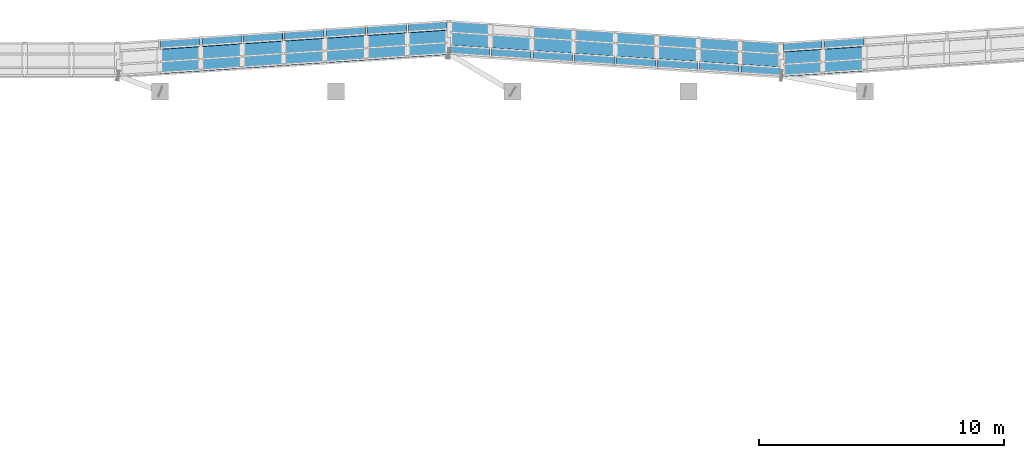
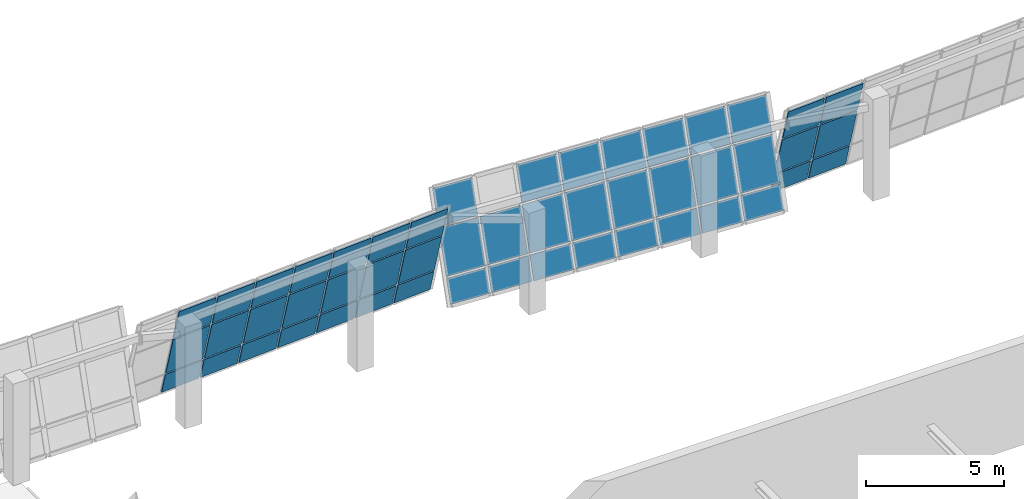
# One storey, part 43 of 67: 50 plates, 3 elements without a shape of their own.
"""IFC4 building model written with IfcOpenShell, lengths in metres."""

from ifc_helpers import new_model, si_unit, direction, frame, origin, place, context, subcontext, project, spatial, polyline, outline, extrude, material, layer, layer_set, type_object, element, aggregate, save


model = new_model("IFC4")

# Units and contexts
model_context = context("Model", 3, precision=1e-05, world=origin(), true_north=direction((0.0, 1.0)))
body_context = subcontext(model_context, "Body", "Model", "MODEL_VIEW")
ifc_project = project(units=[si_unit("LENGTHUNIT", "METRE"), si_unit("AREAUNIT", "SQUARE_METRE"), si_unit("VOLUMEUNIT", "CUBIC_METRE"), si_unit("PLANEANGLEUNIT", "RADIAN"), si_unit("MASSUNIT", "GRAM", prefix="KILO")], contexts=[model_context])

# Site, building, storey
site_placement = place(None, origin())
site = spatial("IfcSite", under=ifc_project, at=site_placement, CompositionType="ELEMENT")
building_placement = place(site_placement, origin())
building = spatial("IfcBuilding", under=site, at=building_placement, Name="Pellamere Symphony Hall", CompositionType="ELEMENT")
storey_placement = place(building_placement, frame((0.0, 0.0, 19.5)))
storey = spatial("IfcBuildingStorey", under=building, at=storey_placement, Name="L04", CompositionType="ELEMENT", Elevation=19.5)

# Curtain wall, plates
ifc_material_1 = material(Name="Thermally Broken Anodised Aluminium 6063-T6 Curtain Wall", Category="aluminium")
curtain_wall_type = type_object("IfcCurtainWallType", Name="Curtain Wall CW-01 (Tilted Faceted Crystal Low-Iron Curtain Wall)", PredefinedType="NOTDEFINED", material=ifc_material_1)
curtain_wall_1_placement = place(storey_placement, origin())
curtain_wall_1 = element("IfcCurtainWall", 1, at=curtain_wall_1_placement, inside=storey, type_object=curtain_wall_type, Name="Crystal Faceted Curtain Wall CW-CR12 (L04)", PredefinedType="NOTDEFINED")
ifc_material_2 = material(Name="Pre-Weathered Quartz-Zinc Faceted Cladding Cassette", Category="aluminium")
ifc_layer_1 = layer(ifc_material_2, 0.0400390625, Name="Pre-Weathered Quartz-Zinc Faceted Cladding Cassette")
ifc_layer_set_1 = layer_set([ifc_layer_1], Name="Pre-Weathered Quartz-Zinc Faceted Cladding Cassette")
plate_type_1 = type_object("IfcPlateType", Name="Facade Panel CL-01 40mm", PredefinedType="CURTAIN_PANEL", material=ifc_layer_set_1)
plate_1_placement = place(storey_placement, frame((91.3251953125, 94.2763671875, 0.072021484375), z_axis=(-0.063264596493, -0.956913803698, 0.283396476905), x_axis=(-0.997821663418, 0.065969144414, 0.0)))
plate_1 = element("IfcPlate", 2, at=plate_1_placement, type_object=plate_type_1, Name="CW1-030 crystal glass panel 1.1", PredefinedType="CURTAIN_PANEL", context=body_context, shape_type="SweptSolid", body=[
    extrude(outline(polyline([(0.0, 0.0), (1.5913571364661865, -6.938893903907228e-18), (1.6103458135326572, -1.013473363166812), (0.018988677066470592, -1.013473363166812), (0.0, 0.0)])), origin(), (0.0, 0.0, -1.0), 0.0400390625),
])
plate_2_placement = place(storey_placement, frame((91.3251953125, 94.58544921875, 1.115966796875), z_axis=(-0.06340993004, -0.956886740091, 0.283455371108), x_axis=(-0.997811553112, 0.06612189105, 0.0)))
plate_2 = element("IfcPlate", 3, at=plate_2_placement, type_object=plate_type_1, Name="CW1-030 crystal glass panel 1.2", PredefinedType="CURTAIN_PANEL", context=body_context, shape_type="SweptSolid", body=[
    extrude(outline(polyline([(0.0, 0.0), (1.5913732608602584, 3.469446951953614e-18), (1.626984806674959, -1.895873680489637), (0.03561154581470058, -1.895873680489637), (0.0, 0.0)])), origin(), (0.0, 0.0, -1.0), 0.0400390625),
])
plate_3_placement = place(storey_placement, frame((91.3251953125, 95.145263671875, 3.005859375), z_axis=(-0.063336723899, -0.956892107407, 0.283453619113), x_axis=(-0.997816204768, 0.066051654553, 2.0805731e-05)))
plate_3 = element("IfcPlate", 4, at=plate_3_placement, type_object=plate_type_1, Name="CW1-030 crystal glass panel 1.3", PredefinedType="CURTAIN_PANEL", context=body_context, shape_type="SweptSolid", body=[
    extrude(outline(polyline([(0.0, 0.0), (1.591373256573352, 0.0), (1.6192200088896131, -1.4829054137007727), (0.02786287820848608, -1.482974464798596), (0.0, 0.0)])), origin(), (0.0, 0.0, -1.0), 0.0400390625),
])
plate_4_placement = place(storey_placement, frame((89.66259765625, 94.38623046875, 0.072021484375), z_axis=(-0.063317514813, -0.956877857224, 0.283506011704), x_axis=(-0.997817469146, 0.066032551464, 2.0331029e-05)))
plate_4 = element("IfcPlate", 5, at=plate_4_placement, type_object=plate_type_1, Name="CW1-030 crystal glass panel 2.1", PredefinedType="CURTAIN_PANEL", context=body_context, shape_type="SweptSolid", body=[
    extrude(outline(polyline([(0.0, 0.0), (1.6288064568611973, 3.469446951953614e-18), (1.6478331453379382, -1.0134726435317643), (0.019042809705125566, -1.0135417074877644), (0.0, 0.0)])), origin(), (0.0, 0.0, -1.0), 0.0400390625),
])
plate_5_placement = place(storey_placement, frame((89.66259765625, 94.695556640625, 1.115966796875), z_axis=(-0.063246887547, -0.956896659994, 0.283458309648), x_axis=(-0.997822801026, 0.065951935174, 0.0)))
plate_5 = element("IfcPlate", 6, at=plate_5_placement, type_object=plate_type_1, Name="CW1-030 crystal glass panel 2.2", PredefinedType="CURTAIN_PANEL", context=body_context, shape_type="SweptSolid", body=[
    extrude(outline(polyline([(0.0, 0.0), (1.628790341285339, 6.938893903907228e-18), (1.6643103532465653, -1.8958753976247777), (0.03552001196122634, -1.8958753976247777), (0.0, 0.0)])), origin(), (0.0, 0.0, -1.0), 0.0400390625),
])
plate_6_placement = place(storey_placement, frame((89.66259765625, 95.25537109375, 3.005859375), z_axis=(-0.063318531004, -0.956893214294, 0.283453946998), x_axis=(-0.997817469292, 0.066032549261, 2.0327621e-05)))
plate_6 = element("IfcPlate", 7, at=plate_6_placement, type_object=plate_type_1, Name="CW1-030 crystal glass panel 2.3", PredefinedType="CURTAIN_PANEL", context=body_context, shape_type="SweptSolid", body=[
    extrude(outline(polyline([(0.0, 0.0), (1.628806456861063, -6.938893903907228e-18), (1.6566444831961924, -1.4829055775359932), (0.027854147562976436, -1.4829746288086836), (0.0, 0.0)])), origin(), (0.0, 0.0, -1.0), 0.0400390625),
])
plate_7_placement = place(storey_placement, frame((87.962646484375, 94.498779296875, 0.072021484375), z_axis=(-0.063317514813, -0.956877857224, 0.283506011704), x_axis=(-0.997817469146, 0.066032551464, 2.0331029e-05)))
plate_7 = element("IfcPlate", 8, at=plate_7_placement, type_object=plate_type_1, Name="CW1-030 crystal glass panel 3.1", PredefinedType="CURTAIN_PANEL", context=body_context, shape_type="SweptSolid", body=[
    extrude(outline(polyline([(0.0, 0.0), (1.6288064568611973, 3.469446951953614e-18), (1.6478331453379382, -1.0134726435317643), (0.019042809705125566, -1.0135417074877644), (0.0, 0.0)])), origin(), (0.0, 0.0, -1.0), 0.0400390625),
])
plate_8_placement = place(storey_placement, frame((87.962646484375, 94.80810546875, 1.115966796875), z_axis=(-0.063246887547, -0.956896659994, 0.283458309648), x_axis=(-0.997822801026, 0.065951935174, 0.0)))
plate_8 = element("IfcPlate", 9, at=plate_8_placement, type_object=plate_type_1, Name="CW1-030 crystal glass panel 3.2", PredefinedType="CURTAIN_PANEL", context=body_context, shape_type="SweptSolid", body=[
    extrude(outline(polyline([(0.0, 0.0), (1.628790341285339, 6.938893903907228e-18), (1.6643103532465653, -1.8958753976247777), (0.03552001196122634, -1.8958753976247777), (0.0, 0.0)])), origin(), (0.0, 0.0, -1.0), 0.0400390625),
])
plate_9_placement = place(storey_placement, frame((87.962646484375, 95.367919921875, 3.005859375), z_axis=(-0.063318531004, -0.956893214294, 0.283453946998), x_axis=(-0.99781826272, 0.066020558679, -2.0327822e-05)))
plate_9 = element("IfcPlate", 10, at=plate_9_placement, type_object=plate_type_1, Name="CW1-030 crystal glass panel 3.3", PredefinedType="CURTAIN_PANEL", context=body_context, shape_type="SweptSolid", body=[
    extrude(outline(polyline([(0.0, 0.0), (1.628790337096903, 3.469446951953614e-18), (1.6565816151032986, -1.4829758083304945), (0.027775159705936955, -1.4829067563744196), (0.0, 0.0)])), origin(), (0.0, 0.0, -1.0), 0.0400390625),
])
plate_10_placement = place(storey_placement, frame((86.2626953125, 94.611328125, 0.072021484375), z_axis=(-0.063317514813, -0.956877857224, 0.283506011704), x_axis=(-0.997818262866, 0.066020556476, -2.033123e-05)))
plate_10 = element("IfcPlate", 11, at=plate_10_placement, type_object=plate_type_1, Name="CW1-030 crystal glass panel 4.1", PredefinedType="CURTAIN_PANEL", context=body_context, shape_type="SweptSolid", body=[
    extrude(outline(polyline([(0.0, 0.0), (1.6287903370970371, -6.938893903907228e-18), (1.6477901705969515, -1.0135425140297043), (0.01898371519999343, -1.0134734493901942), (0.0, 0.0)])), origin(), (0.0, 0.0, -1.0), 0.0400390625),
])
plate_11_placement = place(storey_placement, frame((86.2626953125, 94.920654296875, 1.115966796875), z_axis=(-0.063319624031, -0.956909732511, 0.283397934075), x_axis=(-0.997818262564, 0.066020561048, -2.0324156e-05)))
plate_11 = element("IfcPlate", 12, at=plate_11_placement, type_object=plate_type_1, Name="CW1-030 crystal glass panel 4.2", PredefinedType="CURTAIN_PANEL", context=body_context, shape_type="SweptSolid", body=[
    extrude(outline(polyline([(0.0, 0.0), (1.628790337096758, -3.469446951953614e-18), (1.6643103575264884, -1.8958753938676103), (0.03550390212869337, -1.8958063555567923), (0.0, 0.0)])), origin(), (0.0, 0.0, -1.0), 0.0400390625),
])
plate_12_placement = place(storey_placement, frame((86.2626953125, 95.48046875, 3.005859375), z_axis=(-0.063318531004, -0.956893214294, 0.283453946998), x_axis=(-0.99781826272, 0.066020558679, -2.0327822e-05)))
plate_12 = element("IfcPlate", 13, at=plate_12_placement, type_object=plate_type_1, Name="CW1-030 crystal glass panel 4.3", PredefinedType="CURTAIN_PANEL", context=body_context, shape_type="SweptSolid", body=[
    extrude(outline(polyline([(0.0, 0.0), (1.628790337096903, 3.469446951953614e-18), (1.6565816151032986, -1.4829758083304945), (0.027775159705936955, -1.4829067563744196), (0.0, 0.0)])), origin(), (0.0, 0.0, -1.0), 0.0400390625),
])
plate_13_placement = place(storey_placement, frame((84.5625, 94.723876953125, 0.072021484375), z_axis=(-0.063326989514, -0.956877280825, 0.283505840928), x_axis=(-0.997817609391, 0.066030432193, -2.0334247e-05)))
plate_13 = element("IfcPlate", 14, at=plate_13_placement, type_object=plate_type_1, Name="CW1-030 crystal glass panel 5.1", PredefinedType="CURTAIN_PANEL", context=body_context, shape_type="SweptSolid", body=[
    extrude(outline(polyline([(0.0, 0.0), (1.6285467280937327, 3.469446951953614e-18), (1.647549403716876, -1.013542460747381), (0.018986554912158612, -1.01347339619461), (0.0, 0.0)])), origin(), (0.0, 0.0, -1.0), 0.0400390625),
])
plate_14_placement = place(storey_placement, frame((84.5625, 95.032958984375, 1.115966796875), z_axis=(-0.063399538991, -0.956887373073, 0.283455558614), x_axis=(-0.997812270832, 0.066111059411, 0.0)))
plate_14 = element("IfcPlate", 15, at=plate_14_placement, type_object=plate_type_1, Name="CW1-030 crystal glass panel 5.2", PredefinedType="CURTAIN_PANEL", context=body_context, shape_type="SweptSolid", body=[
    extrude(outline(polyline([(0.0, 0.0), (1.6285628544580533, 0.0), (1.664168566630861, -1.8958737900581097), (0.035605712172807766, -1.8958737900581097), (0.0, 0.0)])), origin(), (0.0, 0.0, -1.0), 0.0400390625),
])
plate_15_placement = place(storey_placement, frame((84.5625, 95.593017578125, 3.005859375), z_axis=(-0.063328005856, -0.956892637868, 0.283453776247), x_axis=(-0.997817609245, 0.066030434396, -2.0330839e-05)))
plate_15 = element("IfcPlate", 16, at=plate_15_placement, type_object=plate_type_1, Name="CW1-030 crystal glass panel 5.3", PredefinedType="CURTAIN_PANEL", context=body_context, shape_type="SweptSolid", body=[
    extrude(outline(polyline([(0.0, 0.0), (1.6285467280935984, 0.0), (1.6563421633067859, -1.4829757304177427), (0.02777931450166513, -1.4829066785483926), (0.0, 0.0)])), origin(), (0.0, 0.0, -1.0), 0.0400390625),
])
plate_16_placement = place(storey_placement, frame((82.862548828125, 94.836181640625, 0.072021484375), z_axis=(-0.063317514813, -0.956877857224, 0.283506011704), x_axis=(-0.997817469146, 0.066032551464, 2.0331029e-05)))
plate_16 = element("IfcPlate", 17, at=plate_16_placement, type_object=plate_type_1, Name="CW1-030 crystal glass panel 6.1", PredefinedType="CURTAIN_PANEL", context=body_context, shape_type="SweptSolid", body=[
    extrude(outline(polyline([(0.0, 0.0), (1.6288064568611973, 3.469446951953614e-18), (1.6478331453379382, -1.0134726435317643), (0.019042809705125566, -1.0135417074877644), (0.0, 0.0)])), origin(), (0.0, 0.0, -1.0), 0.0400390625),
])
plate_17_placement = place(storey_placement, frame((82.862548828125, 95.1455078125, 1.115966796875), z_axis=(-0.063390053523, -0.956887950799, 0.283455729752), x_axis=(-0.9978129259, 0.066101171747, 0.0)))
plate_17 = element("IfcPlate", 18, at=plate_17_placement, type_object=plate_type_1, Name="CW1-030 crystal glass panel 6.2", PredefinedType="CURTAIN_PANEL", context=body_context, shape_type="SweptSolid", body=[
    extrude(outline(polyline([(0.0, 0.0), (1.6288064610494575, 0.0), (1.6644068479817382, -1.8958738900620224), (0.03560038693228082, -1.8958738900620224), (0.0, 0.0)])), origin(), (0.0, 0.0, -1.0), 0.0400390625),
])
plate_18_placement = place(storey_placement, frame((82.862548828125, 95.705322265625, 3.005859375), z_axis=(-0.063318531004, -0.956893214294, 0.283453946998), x_axis=(-0.997817469292, 0.066032549261, 2.0327621e-05)))
plate_18 = element("IfcPlate", 19, at=plate_18_placement, type_object=plate_type_1, Name="CW1-030 crystal glass panel 6.3", PredefinedType="CURTAIN_PANEL", context=body_context, shape_type="SweptSolid", body=[
    extrude(outline(polyline([(0.0, 0.0), (1.628806456861063, -6.938893903907228e-18), (1.6566444831961924, -1.4829055775359932), (0.027854147562976436, -1.4829746288086836), (0.0, 0.0)])), origin(), (0.0, 0.0, -1.0), 0.0400390625),
])
plate_19_placement = place(storey_placement, frame((81.16259765625, 94.94873046875, 0.072021484375), z_axis=(-0.063317514813, -0.956877857224, 0.283506011704), x_axis=(-0.997817469146, 0.066032551464, 2.0331029e-05)))
plate_19 = element("IfcPlate", 20, at=plate_19_placement, type_object=plate_type_1, Name="CW1-030 crystal glass panel 7.1", PredefinedType="CURTAIN_PANEL", context=body_context, shape_type="SweptSolid", body=[
    extrude(outline(polyline([(0.0, 0.0), (1.6288064568611973, 3.469446951953614e-18), (1.6478331453379382, -1.0134726435317643), (0.019042809705125566, -1.0135417074877644), (0.0, 0.0)])), origin(), (0.0, 0.0, -1.0), 0.0400390625),
])
plate_20_placement = place(storey_placement, frame((81.16259765625, 95.258056640625, 1.115966796875), z_axis=(-0.063246887547, -0.956896659994, 0.283458309648), x_axis=(-0.997822801026, 0.065951935174, 0.0)))
plate_20 = element("IfcPlate", 21, at=plate_20_placement, type_object=plate_type_1, Name="CW1-030 crystal glass panel 7.2", PredefinedType="CURTAIN_PANEL", context=body_context, shape_type="SweptSolid", body=[
    extrude(outline(polyline([(0.0, 0.0), (1.628790341285339, 6.938893903907228e-18), (1.6643103532465653, -1.8958753976247777), (0.03552001196122634, -1.8958753976247777), (0.0, 0.0)])), origin(), (0.0, 0.0, -1.0), 0.0400390625),
])
plate_21_placement = place(storey_placement, frame((79.462646484375, 95.061279296875, 0.072021484375), z_axis=(-0.063260285517, -0.956848597684, 0.283617519534), x_axis=(-0.997821663418, 0.065969144414, 0.0)))
plate_21 = element("IfcPlate", 22, at=plate_21_placement, type_object=plate_type_1, Name="CW1-030 crystal glass panel 8.1", PredefinedType="CURTAIN_PANEL", context=body_context, shape_type="SweptSolid", body=[
    extrude(outline(polyline([(0.0, 0.0), (1.5913571364661865, 0.0), (1.610361919280805, -1.0135424279686458), (0.019004782814618572, -1.0135424279686458), (0.0, 0.0)])), origin(), (0.0, 0.0, -1.0), 0.0400390625),
])
plate_22_placement = place(storey_placement, frame((79.462646484375, 95.37060546875, 1.115966796875), z_axis=(-0.063263396738, -0.956895656701, 0.283458012446), x_axis=(-0.997821663418, 0.065969144414, 0.0)))
plate_22 = element("IfcPlate", 23, at=plate_22_placement, type_object=plate_type_1, Name="CW1-030 crystal glass panel 8.2", PredefinedType="CURTAIN_PANEL", context=body_context, shape_type="SweptSolid", body=[
    extrude(outline(polyline([(0.0, 0.0), (1.5913571364661865, -3.469446951953614e-18), (1.6268864168806343, -1.8958752239537984), (0.035529280414447945, -1.8958752239537984), (0.0, 0.0)])), origin(), (0.0, 0.0, -1.0), 0.0400390625),
])
plate_23_placement = place(storey_placement, frame((79.462646484375, 95.930419921875, 3.005859375), z_axis=(-0.063336723899, -0.956892107407, 0.283453619113), x_axis=(-0.99781701709, 0.066039381979, -2.0805942e-05)))
plate_23 = element("IfcPlate", 24, at=plate_23_placement, type_object=plate_type_1, Name="CW1-030 crystal glass panel 8.3", PredefinedType="CURTAIN_PANEL", context=body_context, shape_type="SweptSolid", body=[
    extrude(outline(polyline([(0.0, 0.0), (1.5913571321792366, -1.0408340855860843e-17), (1.6191556621314394, -1.4829756724097802), (0.02778240705621182, -1.482906620612298), (0.0, 0.0)])), origin(), (0.0, 0.0, -1.0), 0.0400390625),
])
aggregate(curtain_wall_1, [plate_1, plate_2, plate_3, plate_4, plate_5, plate_6, plate_7, plate_8, plate_9, plate_10, plate_11, plate_12, plate_13, plate_14, plate_15, plate_16, plate_17, plate_18, plate_19, plate_20, plate_21, plate_22, plate_23])

curtain_wall_2_placement = place(storey_placement, origin())
curtain_wall_2 = element("IfcCurtainWall", 25, at=curtain_wall_2_placement, inside=storey, type_object=curtain_wall_type, Name="Crystal Faceted Curtain Wall CW-CR11 (L04)", PredefinedType="NOTDEFINED")
ifc_material_3 = material(Name="Vacuum-Insulated Bronze-Anodised Aluminium Spandrel Panel", Category="aluminium")
ifc_layer_2 = layer(ifc_material_3, 0.06494140625, Name="Vacuum-Insulated Bronze-Anodised Aluminium Spandrel Panel")
ifc_layer_set_2 = layer_set([ifc_layer_2], Name="Vacuum-Insulated Bronze-Anodised Aluminium Spandrel Panel")
plate_type_2 = type_object("IfcPlateType", Name="Facade Panel SP-01 65mm", PredefinedType="CURTAIN_PANEL", material=ifc_layer_set_2)
plate_24_placement = place(storey_placement, frame((94.737548828125, 95.7841796875, 0.072021484375), z_axis=(-0.063813980382, 0.956847537844, 0.283497028608), x_axis=(-0.99778388931, -0.066538032828, -2.0489291e-05)))
plate_24 = element("IfcPlate", 26, at=plate_24_placement, type_object=plate_type_2, Name="CW1-027 crystal glass panel 7.1", PredefinedType="CURTAIN_PANEL", context=body_context, shape_type="SweptSolid", body=[
    extrude(outline(polyline([(0.0, 0.0), (1.6161228816748314, 0.0), (1.6352716392112494, 1.0135397113603168), (0.019132512899497058, 1.0134706512833356), (0.0, 0.0)])), origin(), (0.0, 0.0, -1.0), 0.06494140625),
])
plate_25_placement = place(storey_placement, frame((94.737548828125, 95.474853515625, 1.115966796875), z_axis=(-0.063742803838, 0.956866407618, 0.283449348087), x_axis=(-0.997788498757, -0.06646887804, 0.0)))
plate_25 = element("IfcPlate", 27, at=plate_25_placement, type_object=plate_type_2, Name="CW1-027 crystal glass panel 7.2", PredefinedType="CURTAIN_PANEL", context=body_context, shape_type="SweptSolid", body=[
    extrude(outline(polyline([(0.0, 0.0), (1.616122885895694, 0.0), (1.6519213099571914, 1.895870161008751), (0.03579842406149748, 1.895870161008751), (0.0, 0.0)])), origin(), (0.0, 0.0, -1.0), 0.06494140625),
])
plate_26_placement = place(storey_placement, frame((94.737548828125, 94.9150390625, 3.005859375), z_axis=(-0.063815004476, 0.956862893455, 0.283444965263), x_axis=(-0.997783889163, -0.066538035048, -2.0485857e-05)))
plate_26 = element("IfcPlate", 28, at=plate_26_placement, type_object=plate_type_2, Name="CW1-027 crystal glass panel 7.3", PredefinedType="CURTAIN_PANEL", context=body_context, shape_type="SweptSolid", body=[
    extrude(outline(polyline([(0.0, 0.0), (1.616122881674696, -3.469446951953614e-18), (1.64413199260605, 1.4829717100917374), (0.02799286629389127, 1.4829026626974238), (0.0, 0.0)])), origin(), (0.0, 0.0, -1.0), 0.06494140625),
])
plate_27_placement = place(storey_placement, frame((93.050048828125, 95.671630859375, 0.072021484375), z_axis=(-0.063772413154, 0.956882813184, 0.283387298856), x_axis=(-0.997786526209, -0.066498482063, 0.0)))
plate_27 = element("IfcPlate", 29, at=plate_27_placement, type_object=plate_type_2, Name="CW1-027 crystal glass panel 8.1", PredefinedType="CURTAIN_PANEL", context=body_context, shape_type="SweptSolid", body=[
    extrude(outline(polyline([(0.0, 0.0), (1.578689700777497, 0.0), (1.5978307433439352, 1.0134704969533417), (0.019141042566438286, 1.0134704969533417), (0.0, 0.0)])), origin(), (0.0, 0.0, -1.0), 0.06494140625),
])
plate_28_placement = place(storey_placement, frame((93.050048828125, 95.362548828125, 1.115966796875), z_axis=(-0.063918903753, 0.956855607916, 0.283446148928), x_axis=(-0.997776253366, -0.06665244346, 0.0)))
plate_28 = element("IfcPlate", 30, at=plate_28_placement, type_object=plate_type_2, Name="CW1-027 crystal glass panel 8.2", PredefinedType="CURTAIN_PANEL", context=body_context, shape_type="SweptSolid", body=[
    extrude(outline(polyline([(0.0, 0.0), (1.5787059545526818, -6.938893903907228e-18), (1.614603242216661, 1.895868291656096), (0.035897287663979247, 1.895868291656096), (0.0, 0.0)])), origin(), (0.0, 0.0, -1.0), 0.06494140625),
])
plate_29_placement = place(storey_placement, frame((93.050048828125, 94.802490234375, 3.005859375), z_axis=(-0.063772748726, 0.956887848324, 0.283370221177), x_axis=(-0.997786526209, -0.066498482063, 0.0)))
plate_29 = element("IfcPlate", 31, at=plate_29_placement, type_object=plate_type_2, Name="CW1-027 crystal glass panel 8.3", PredefinedType="CURTAIN_PANEL", context=body_context, shape_type="SweptSolid", body=[
    extrude(outline(polyline([(0.0, 0.0), (1.578689700777497, -3.469446951953614e-18), (1.6066950429548559, 1.4829024317369264), (0.028005342177358818, 1.4829024317369264), (0.0, 0.0)])), origin(), (0.0, 0.0, -1.0), 0.06494140625),
])
aggregate(curtain_wall_2, [plate_24, plate_25, plate_26, plate_27, plate_28, plate_29])

curtain_wall_3_placement = place(storey_placement, origin())
curtain_wall_3 = element("IfcCurtainWall", 32, at=curtain_wall_3_placement, inside=storey, type_object=curtain_wall_type, Name="Crystal Faceted Curtain Wall CW-CR13 (L04)", PredefinedType="NOTDEFINED")
plate_30_placement = place(storey_placement, frame((77.72509765625, 96.456787109375, 0.072021484375), z_axis=(-0.063768067856, 0.956817613505, 0.283608335578), x_axis=(-0.997786526209, -0.066498482063, 0.0)))
plate_30 = element("IfcPlate", 33, at=plate_30_placement, type_object=plate_type_2, Name="CW1-033 crystal glass panel 1.1", PredefinedType="CURTAIN_PANEL", context=body_context, shape_type="SweptSolid", body=[
    extrude(outline(polyline([(0.0, 0.0), (1.578689700777497, -3.469446951953614e-18), (1.5978469783249076, 1.0135395570866388), (0.01915727754741067, 1.0135395570866388), (0.0, 0.0)])), origin(), (0.0, 0.0, -1.0), 0.06494140625),
])
plate_31_placement = place(storey_placement, frame((77.72509765625, 96.1474609375, 1.115966796875), z_axis=(-0.063771203847, 0.95686466795, 0.283448832751), x_axis=(-0.997786526209, -0.066498482063, 0.0)))
plate_31 = element("IfcPlate", 34, at=plate_31_placement, type_object=plate_type_2, Name="CW1-033 crystal glass panel 1.2", PredefinedType="CURTAIN_PANEL", context=body_context, shape_type="SweptSolid", body=[
    extrude(outline(polyline([(0.0, 0.0), (1.578689700777497, 0.0), (1.6145040688025716, 1.8958698598826869), (0.03581436802507452, 1.8958698598826869), (0.0, 0.0)])), origin(), (0.0, 0.0, -1.0), 0.06494140625),
])
plate_32_placement = place(storey_placement, frame((77.72509765625, 95.587646484375, 3.005859375), z_axis=(-0.063769779454, 0.956843295433, 0.283521292346), x_axis=(-0.997786526209, -0.066498482063, 0.0)))
plate_32 = element("IfcPlate", 35, at=plate_32_placement, type_object=plate_type_2, Name="CW1-033 crystal glass panel 1.3", PredefinedType="CURTAIN_PANEL", context=body_context, shape_type="SweptSolid", body=[
    extrude(outline(polyline([(0.0, 0.0), (1.578689700777497, -3.469446951953614e-18), (1.6067112779358281, 1.4829714791877961), (0.028021577158331198, 1.4829714791877961), (0.0, 0.0)])), origin(), (0.0, 0.0, -1.0), 0.06494140625),
])
plate_33_placement = place(storey_placement, frame((76.0751953125, 96.3466796875, 0.072021484375), z_axis=(-0.063804359707, 0.956848127642, 0.283497203354), x_axis=(-0.997784557971, -0.06652800504, -2.0486228e-05)))
plate_33 = element("IfcPlate", 36, at=plate_33_placement, type_object=plate_type_2, Name="CW1-033 crystal glass panel 2.1", PredefinedType="CURTAIN_PANEL", context=body_context, shape_type="SweptSolid", body=[
    extrude(outline(polyline([(0.0, 0.0), (1.6163664824646273, 3.469446951953614e-18), (1.6355123541131644, 1.013539765879141), (0.019129629459806567, 1.0134707057134071), (0.0, 0.0)])), origin(), (0.0, 0.0, -1.0), 0.06494140625),
])
plate_34_placement = place(storey_placement, frame((76.0751953125, 96.037353515625, 1.115966796875), z_axis=(-0.063733193807, 0.956866996113, 0.283449522415), x_axis=(-0.997789166031, -0.066458860589, 0.0)))
plate_34 = element("IfcPlate", 37, at=plate_34_placement, type_object=plate_type_2, Name="CW1-033 crystal glass panel 2.2", PredefinedType="CURTAIN_PANEL", context=body_context, shape_type="SweptSolid", body=[
    extrude(outline(polyline([(0.0, 0.0), (1.616366486684859, 0.0), (1.6521595156058213, 1.8958702628738333), (0.035793028920962165, 1.8958702628738333), (0.0, 0.0)])), origin(), (0.0, 0.0, -1.0), 0.06494140625),
])
plate_35_placement = place(storey_placement, frame((76.0751953125, 95.4775390625, 3.005859375), z_axis=(-0.063805383649, 0.956863483281, 0.283445139983), x_axis=(-0.997784557823, -0.06652800726, -2.0482795e-05)))
plate_35 = element("IfcPlate", 38, at=plate_35_placement, type_object=plate_type_2, Name="CW1-033 crystal glass panel 2.3", PredefinedType="CURTAIN_PANEL", context=body_context, shape_type="SweptSolid", body=[
    extrude(outline(polyline([(0.0, 0.0), (1.6163664824644917, 0.0), (1.6443713721739868, 1.4829717898125772), (0.027988647520222894, 1.482902742329526), (0.0, 0.0)])), origin(), (0.0, 0.0, -1.0), 0.06494140625),
])
plate_36_placement = place(storey_placement, frame((74.3876953125, 96.234130859375, 0.072021484375), z_axis=(-0.063804359707, 0.956848127642, 0.283497203354), x_axis=(-0.997784557971, -0.06652800504, -2.0486228e-05)))
plate_36 = element("IfcPlate", 39, at=plate_36_placement, type_object=plate_type_2, Name="CW1-033 crystal glass panel 3.1", PredefinedType="CURTAIN_PANEL", context=body_context, shape_type="SweptSolid", body=[
    extrude(outline(polyline([(0.0, 0.0), (1.6163664824646273, 3.469446951953614e-18), (1.6355123541131644, 1.013539765879141), (0.019129629459806567, 1.0134707057134071), (0.0, 0.0)])), origin(), (0.0, 0.0, -1.0), 0.06494140625),
])
plate_37_placement = place(storey_placement, frame((74.3876953125, 95.925048828125, 1.115966796875), z_axis=(-0.063877451614, 0.956858152749, 0.283446902775), x_axis=(-0.997779138857, -0.066609234065, 0.0)))
plate_37 = element("IfcPlate", 40, at=plate_37_placement, type_object=plate_type_2, Name="CW1-033 crystal glass panel 3.2", PredefinedType="CURTAIN_PANEL", context=body_context, shape_type="SweptSolid", body=[
    extrude(outline(polyline([(0.0, 0.0), (1.6163827303488496, 0.0), (1.6522567465471327, 1.895868732146411), (0.03587401619828309, 1.895868732146411), (0.0, 0.0)])), origin(), (0.0, 0.0, -1.0), 0.06494140625),
])
plate_38_placement = place(storey_placement, frame((74.3876953125, 95.364990234375, 3.005859375), z_axis=(-0.063805383649, 0.956863483281, 0.283445139983), x_axis=(-0.997784557823, -0.06652800726, -2.0482795e-05)))
plate_38 = element("IfcPlate", 41, at=plate_38_placement, type_object=plate_type_2, Name="CW1-033 crystal glass panel 3.3", PredefinedType="CURTAIN_PANEL", context=body_context, shape_type="SweptSolid", body=[
    extrude(outline(polyline([(0.0, 0.0), (1.6163664824644917, 0.0), (1.6443713721739868, 1.4829717898125772), (0.027988647520222894, 1.482902742329526), (0.0, 0.0)])), origin(), (0.0, 0.0, -1.0), 0.06494140625),
])
plate_39_placement = place(storey_placement, frame((72.7001953125, 96.12158203125, 0.072021484375), z_axis=(-0.063734402399, 0.956885141479, 0.283387988396), x_axis=(-0.997789166031, -0.066458860589, 0.0)))
plate_39 = element("IfcPlate", 42, at=plate_39_placement, type_object=plate_type_2, Name="CW1-033 crystal glass panel 4.1", PredefinedType="CURTAIN_PANEL", context=body_context, shape_type="SweptSolid", body=[
    extrude(outline(polyline([(0.0, 0.0), (1.616366486684859, 0.0), (1.635496124535183, 1.013470712285806), (0.01912963785032384, 1.013470712285806), (0.0, 0.0)])), origin(), (0.0, 0.0, -1.0), 0.06494140625),
])
plate_40_placement = place(storey_placement, frame((72.7001953125, 95.8125, 1.115966796875), z_axis=(-0.063877451614, 0.956858152749, 0.283446902775), x_axis=(-0.997779138857, -0.066609234065, 0.0)))
plate_40 = element("IfcPlate", 43, at=plate_40_placement, type_object=plate_type_2, Name="CW1-033 crystal glass panel 4.2", PredefinedType="CURTAIN_PANEL", context=body_context, shape_type="SweptSolid", body=[
    extrude(outline(polyline([(0.0, 0.0), (1.6163827303488496, 0.0), (1.6522567465471327, 1.895868732146411), (0.03587401619828309, 1.895868732146411), (0.0, 0.0)])), origin(), (0.0, 0.0, -1.0), 0.06494140625),
])
plate_41_placement = place(storey_placement, frame((72.7001953125, 95.252685546875, 3.005859375), z_axis=(-0.063805383649, 0.956863483281, 0.283445139983), x_axis=(-0.997783752229, -0.066540088437, 2.0482589e-05)))
plate_41 = element("IfcPlate", 44, at=plate_41_placement, type_object=plate_type_2, Name="CW1-033 crystal glass panel 4.3", PredefinedType="CURTAIN_PANEL", context=body_context, shape_type="SweptSolid", body=[
    extrude(outline(polyline([(0.0, 0.0), (1.6163827261285246, 3.469446951953614e-18), (1.6444347192036313, 1.4829015453774923), (0.028068238213885266, 1.4829705921666583), (0.0, 0.0)])), origin(), (0.0, 0.0, -1.0), 0.06494140625),
])
plate_42_placement = place(storey_placement, frame((71.0126953125, 96.00927734375, 0.072021484375), z_axis=(-0.063804359707, 0.956848127642, 0.283497203354), x_axis=(-0.99778375208, -0.066540090657, 2.0486023e-05)))
plate_42 = element("IfcPlate", 45, at=plate_42_placement, type_object=plate_type_2, Name="CW1-033 crystal glass panel 5.1", PredefinedType="CURTAIN_PANEL", context=body_context, shape_type="SweptSolid", body=[
    extrude(outline(polyline([(0.0, 0.0), (1.6163827261286603, 3.469446951953614e-18), (1.635555656240936, 1.0134698874724453), (0.01918917525159601, 1.0135389469441665), (0.0, 0.0)])), origin(), (0.0, 0.0, -1.0), 0.06494140625),
])
plate_43_placement = place(storey_placement, frame((71.0126953125, 95.699951171875, 1.115966796875), z_axis=(-0.063733193807, 0.956866996113, 0.283449522415), x_axis=(-0.997789166031, -0.066458860589, 0.0)))
plate_43 = element("IfcPlate", 46, at=plate_43_placement, type_object=plate_type_2, Name="CW1-033 crystal glass panel 5.2", PredefinedType="CURTAIN_PANEL", context=body_context, shape_type="SweptSolid", body=[
    extrude(outline(polyline([(0.0, 0.0), (1.616366486684859, 0.0), (1.6521595156058213, 1.8958702628738333), (0.035793028920962165, 1.8958702628738333), (0.0, 0.0)])), origin(), (0.0, 0.0, -1.0), 0.06494140625),
])
plate_44_placement = place(storey_placement, frame((71.0126953125, 95.14013671875, 3.005859375), z_axis=(-0.063805383649, 0.956863483281, 0.283445139983), x_axis=(-0.997783752229, -0.066540088437, 2.0482589e-05)))
plate_44 = element("IfcPlate", 47, at=plate_44_placement, type_object=plate_type_2, Name="CW1-033 crystal glass panel 5.3", PredefinedType="CURTAIN_PANEL", context=body_context, shape_type="SweptSolid", body=[
    extrude(outline(polyline([(0.0, 0.0), (1.6163827261285246, 3.469446951953614e-18), (1.6444347192036313, 1.4829015453774923), (0.028068238213885266, 1.4829705921666583), (0.0, 0.0)])), origin(), (0.0, 0.0, -1.0), 0.06494140625),
])
plate_45_placement = place(storey_placement, frame((69.3251953125, 95.896728515625, 0.072021484375), z_axis=(-0.06373005967, 0.956819941323, 0.283609025562), x_axis=(-0.997789166031, -0.066458860589, 0.0)))
plate_45 = element("IfcPlate", 48, at=plate_45_placement, type_object=plate_type_2, Name="CW1-033 crystal glass panel 6.1", PredefinedType="CURTAIN_PANEL", context=body_context, shape_type="SweptSolid", body=[
    extrude(outline(polyline([(0.0, 0.0), (1.616366486684859, 3.469446951953614e-18), (1.635512349842944, 1.0135397727698408), (0.01914586315808493, 1.0135397727698408), (0.0, 0.0)])), origin(), (0.0, 0.0, -1.0), 0.06494140625),
])
plate_46_placement = place(storey_placement, frame((69.3251953125, 95.58740234375, 1.115966796875), z_axis=(-0.063733193807, 0.956866996113, 0.283449522415), x_axis=(-0.997789166031, -0.066458860589, 0.0)))
plate_46 = element("IfcPlate", 49, at=plate_46_placement, type_object=plate_type_2, Name="CW1-033 crystal glass panel 6.2", PredefinedType="CURTAIN_PANEL", context=body_context, shape_type="SweptSolid", body=[
    extrude(outline(polyline([(0.0, 0.0), (1.616366486684859, 0.0), (1.6521595156058213, 1.8958702628738333), (0.035793028920962165, 1.8958702628738333), (0.0, 0.0)])), origin(), (0.0, 0.0, -1.0), 0.06494140625),
])
plate_47_placement = place(storey_placement, frame((69.3251953125, 95.027587890625, 3.005859375), z_axis=(-0.063731770256, 0.956845623439, 0.283521982156), x_axis=(-0.997789166031, -0.066458860589, 0.0)))
plate_47 = element("IfcPlate", 50, at=plate_47_placement, type_object=plate_type_2, Name="CW1-033 crystal glass panel 6.3", PredefinedType="CURTAIN_PANEL", context=body_context, shape_type="SweptSolid", body=[
    extrude(outline(polyline([(0.0, 0.0), (1.616366486684859, 3.469446951953614e-18), (1.6443713678804985, 1.4829717945733487), (0.028004881195639483, 1.4829717945733487), (0.0, 0.0)])), origin(), (0.0, 0.0, -1.0), 0.06494140625),
])
plate_48_placement = place(storey_placement, frame((67.6376953125, 95.7841796875, 0.072021484375), z_axis=(-0.063804359707, 0.956848127642, 0.283497203354), x_axis=(-0.997784557971, -0.06652800504, -2.0486228e-05)))
plate_48 = element("IfcPlate", 51, at=plate_48_placement, type_object=plate_type_2, Name="CW1-033 crystal glass panel 7.1", PredefinedType="CURTAIN_PANEL", context=body_context, shape_type="SweptSolid", body=[
    extrude(outline(polyline([(0.0, 0.0), (1.6163664824646273, 3.469446951953614e-18), (1.6355123541131644, 1.013539765879141), (0.019129629459806567, 1.0134707057134071), (0.0, 0.0)])), origin(), (0.0, 0.0, -1.0), 0.06494140625),
])
plate_49_placement = place(storey_placement, frame((67.6376953125, 95.474853515625, 1.115966796875), z_axis=(-0.063733193807, 0.956866996113, 0.283449522415), x_axis=(-0.997789166031, -0.066458860589, 0.0)))
plate_49 = element("IfcPlate", 52, at=plate_49_placement, type_object=plate_type_2, Name="CW1-033 crystal glass panel 7.2", PredefinedType="CURTAIN_PANEL", context=body_context, shape_type="SweptSolid", body=[
    extrude(outline(polyline([(0.0, 0.0), (1.616366486684859, 0.0), (1.6521595156058213, 1.8958702628738333), (0.035793028920962165, 1.8958702628738333), (0.0, 0.0)])), origin(), (0.0, 0.0, -1.0), 0.06494140625),
])
plate_50_placement = place(storey_placement, frame((67.6376953125, 94.9150390625, 3.005859375), z_axis=(-0.063805383649, 0.956863483281, 0.283445139983), x_axis=(-0.997784557823, -0.06652800726, -2.0482795e-05)))
plate_50 = element("IfcPlate", 53, at=plate_50_placement, type_object=plate_type_2, Name="CW1-033 crystal glass panel 7.3", PredefinedType="CURTAIN_PANEL", context=body_context, shape_type="SweptSolid", body=[
    extrude(outline(polyline([(0.0, 0.0), (1.6163664824644917, 0.0), (1.6443713721739868, 1.4829717898125772), (0.027988647520222894, 1.482902742329526), (0.0, 0.0)])), origin(), (0.0, 0.0, -1.0), 0.06494140625),
])
aggregate(curtain_wall_3, [plate_30, plate_31, plate_32, plate_33, plate_34, plate_35, plate_36, plate_37, plate_38, plate_39, plate_40, plate_41, plate_42, plate_43, plate_44, plate_45, plate_46, plate_47, plate_48, plate_49, plate_50])

save(model, "model.ifc")
